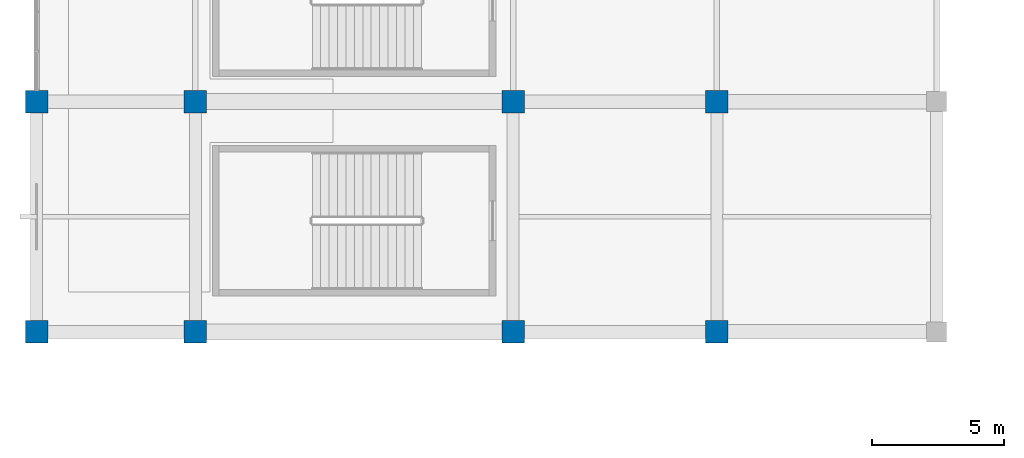
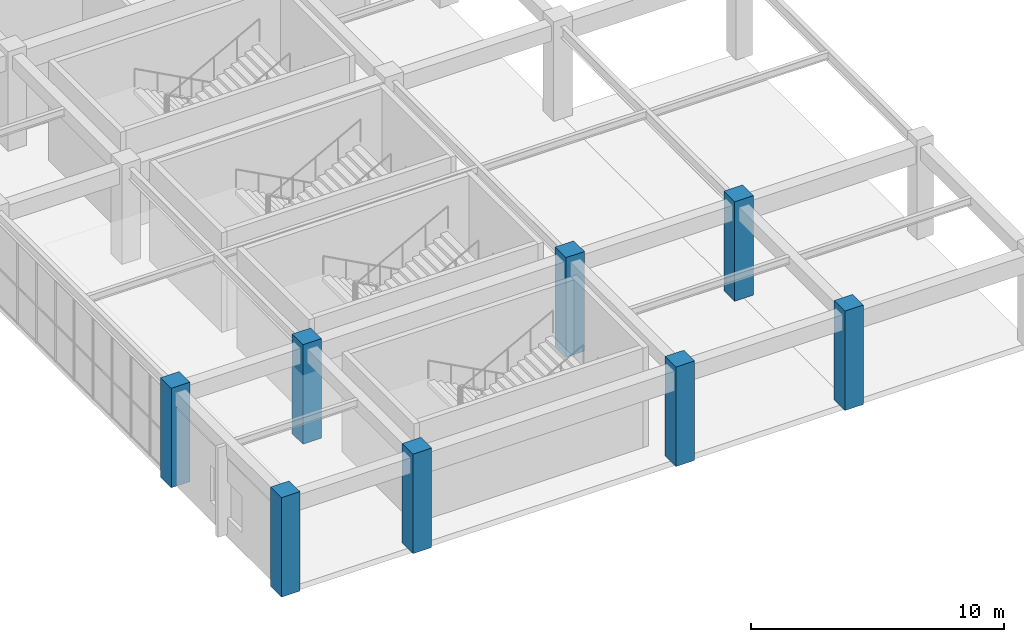
# One storey, part 1 of 112: 8 columns.
"""IFC4 building model written with IfcOpenShell, lengths in metres."""

from ifc_helpers import new_model, si_unit, direction, frame, origin, origin_2d, place, context, subcontext, project, spatial, rectangle, extrude, material, material_profile, profile_set, type_object, element, save


model = new_model("IFC4")

# Units and contexts
model_context = context("Model", 3, precision=1e-05, world=origin(), true_north=direction((0.0, 1.0)))
body_context = subcontext(model_context, "Body", "Model", "MODEL_VIEW")
ifc_project = project(units=[si_unit("LENGTHUNIT", "METRE"), si_unit("AREAUNIT", "SQUARE_METRE"), si_unit("VOLUMEUNIT", "CUBIC_METRE"), si_unit("PLANEANGLEUNIT", "RADIAN"), si_unit("MASSUNIT", "GRAM", prefix="KILO")], contexts=[model_context])

# Site, building, storey
site_placement = place(None, origin())
site = spatial("IfcSite", under=ifc_project, at=site_placement, CompositionType="ELEMENT")
building_placement = place(site_placement, origin())
building = spatial("IfcBuilding", under=site, at=building_placement, Name="Cuetzalor Civic Arena", CompositionType="ELEMENT")
storey_placement = place(building_placement, frame((0.0, 0.0, 11.39990234375)))
storey = spatial("IfcBuildingStorey", under=building, at=storey_placement, Name="L02", CompositionType="ELEMENT", Elevation=11.39990234375)

# Columns
ifc_material = material(Name="Concrete C40/50", Category="concrete")
ifc_material_profile = material_profile(ifc_material, rectangle(XDim=0.85009765625, YDim=0.85009765625, at=origin_2d()), Name="RC 850x850")
ifc_profile_set = profile_set([ifc_material_profile], Name="Concrete C40/50")
column_type = type_object("IfcColumnType", Name="ConcreteColumn_850", PredefinedType="COLUMN", material=ifc_profile_set)
for number, where, z_axis, x_axis, name in (
    (1, (-82.0, -57.0, 0.0), (0.0, 0.0, 1.0), (1.0, 0.0, 0.0), "Column V4W-C-01-01 L02"),
    (2, (-82.0, -48.300048828125, 0.0), (0.0, 0.0, 1.0), (1.0, 0.0, 0.0), "Column V4W-C-01-02 L02"),
    (3, (-76.0, -57.0, 0.0), (0.0, 0.0, 1.0), (1.0, 0.0, 0.0), "Column V4W-C-02-01 L02"),
    (4, (-76.0, -48.300048828125, 0.0), (0.0, 0.0, 1.0), (1.0, 0.0, 0.0), "Column V4W-C-02-02 L02"),
    (5, (-64.0, -57.0, 0.0), (0.0, 0.0, 1.0), (1.0, 0.0, 0.0), "Column V4W-C-03-01 L02"),
    (6, (-64.0, -48.300048828125, 0.0), (0.0, 0.0, 1.0), (1.0, 0.0, 0.0), "Column V4W-C-03-02 L02"),
    (7, (-56.300048828125, -57.0, 0.0), (0.0, 0.0, 1.0), (1.0, 0.0, 0.0), "Column V4W-C-04-01 L02"),
    (8, (-56.300048828125, -48.300048828125, 0.0), (0.0, 0.0, 1.0), (1.0, 0.0, 0.0), "Column V4W-C-04-02 L02"),
):
    element("IfcColumn", number, at=place(storey_placement, frame(where, z_axis=z_axis, x_axis=x_axis)), inside=storey, type_object=column_type, Name=name, PredefinedType="COLUMN", context=body_context, shape_type="SweptSolid", body=[
        extrude(rectangle(XDim=0.85009765625, YDim=0.85009765625, at=origin_2d()), origin(), (0.0, 0.0, 1.0), 4.800048828125),
    ])

save(model, "model.ifc")
